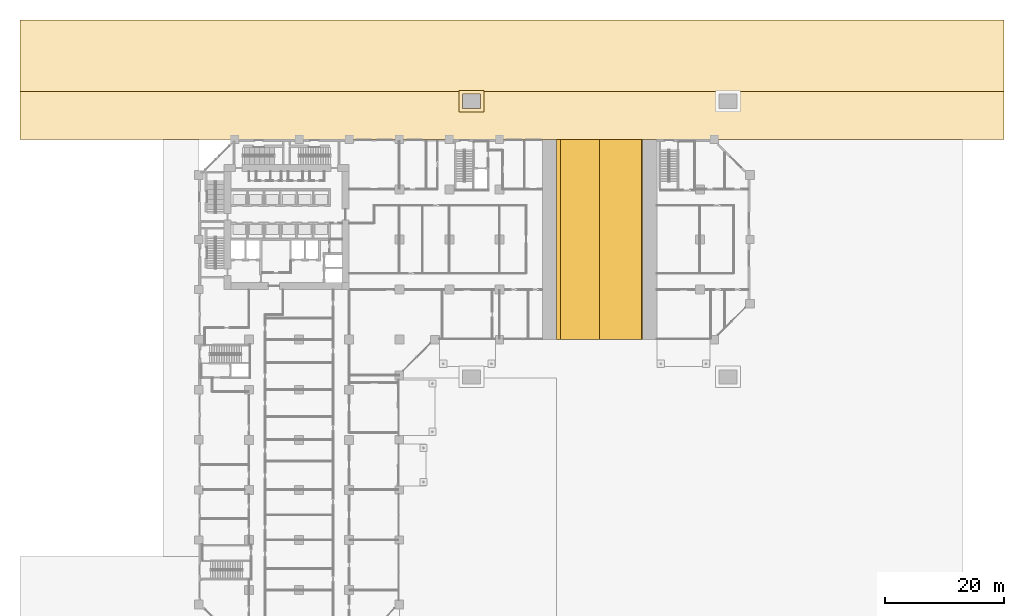
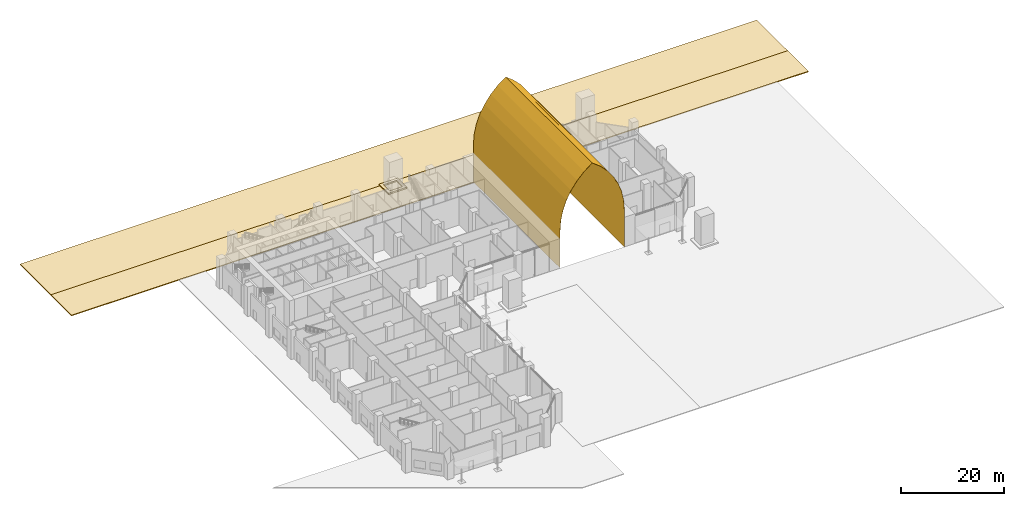
# One storey, part 30 of 32: 4 coverings.
"""IFC4 building model written with IfcOpenShell, lengths in metres."""

from ifc_helpers import new_model, si_unit, direction, frame, origin, place, context, subcontext, project, spatial, polyline, outline, extrude, material, layer, layer_set, type_object, element, save


model = new_model("IFC4")

# Units and contexts
model_context = context("Model", 3, precision=1e-05, world=origin(), true_north=direction((0.0, 1.0)))
body_context = subcontext(model_context, "Body", "Model", "MODEL_VIEW")
ifc_project = project(units=[si_unit("LENGTHUNIT", "METRE"), si_unit("AREAUNIT", "SQUARE_METRE"), si_unit("VOLUMEUNIT", "CUBIC_METRE"), si_unit("PLANEANGLEUNIT", "RADIAN"), si_unit("MASSUNIT", "GRAM", prefix="KILO")], contexts=[model_context])

# Site, building, storey
site_placement = place(None, origin())
site = spatial("IfcSite", under=ifc_project, at=site_placement, CompositionType="ELEMENT")
building_placement = place(site_placement, origin())
building = spatial("IfcBuilding", under=site, at=building_placement, Name="Kawkab Arch Medical Tower", CompositionType="ELEMENT")
storey_placement = place(building_placement, origin())
storey = spatial("IfcBuildingStorey", under=building, at=storey_placement, Name="L01", CompositionType="ELEMENT", Elevation=0.0)

# Coverings
ifc_material_1 = material(Name="Bronze anodised aluminium cladding panel", Category="aluminium")
ifc_layer_1 = layer(ifc_material_1, 0.030029296875)
ifc_layer_set_1 = layer_set([ifc_layer_1], Name="Bronze anodised aluminium cladding panel")
covering_type_1 = type_object("IfcCoveringType", Name="Arch passage cladding 30", PredefinedType="CLADDING", material=ifc_layer_set_1)
covering_1_placement = place(storey_placement, frame((0.0, 0.0, 0.0), z_axis=(0.0, -1.0, 0.0), x_axis=(1.0, 0.0, 0.0)))
element("IfcCovering", 1, at=covering_1_placement, inside=storey, type_object=covering_type_1, Name="Arch passage lining", PredefinedType="CLADDING", context=body_context, shape_type="SweptSolid", body=[
    extrude(outline(polyline([(60.0, 4.5), (60.0, 6.75), (60.0, 9.0), (60.158935546875, 11.256103515625), (60.634033203125, 13.468017578125), (61.4140625, 15.591064453125), (62.48388671875, 17.5830078125), (63.823974609375, 19.406005859375), (65.406005859375, 21.02197265625), (67.199951171875, 22.39990234375), (68.993896484375, 21.02197265625), (70.575927734375, 19.406005859375), (71.916015625, 17.5830078125), (72.986083984375, 15.591064453125), (73.76611328125, 13.468017578125), (74.240966796875, 11.256103515625), (74.39990234375, 9.0), (74.39990234375, 6.75), (74.39990234375, 4.5), (74.39990234375, 2.25), (74.39990234375, 0.030029296875), (74.3701171875, 0.030029296875), (74.3701171875, 8.998779296875), (74.211181640625, 11.251708984375), (73.737060546875, 13.459716796875), (72.95849609375, 15.57861328125), (71.890625, 17.56689453125), (70.552978515625, 19.386474609375), (68.97412109375, 20.99951171875), (67.199951171875, 22.3623046875), (65.426025390625, 20.99951171875), (63.846923828125, 19.386474609375), (62.509521484375, 17.56689453125), (61.44140625, 15.57861328125), (60.662841796875, 13.459716796875), (60.188720703125, 11.251708984375), (60.030029296875, 8.998779296875), (60.030029296875, 0.030029296875), (60.0, 0.030029296875), (60.0, 2.25), (60.0, 4.5)])), origin(), (0.0, 0.0, 1.0), 33.60009765625),
])
ifc_material_2 = material(Name="Polished granite plinth", Category="masonry")
ifc_layer_2 = layer(ifc_material_2, 0.300048828125)
ifc_layer_set_2 = layer_set([ifc_layer_2], Name="Polished granite plinth")
covering_type_2 = type_object("IfcCoveringType", Name="Granite plinth ring 300", PredefinedType="USERDEFINED", material=ifc_layer_set_2)
covering_2_placement = place(storey_placement, origin())
element("IfcCovering", 2, at=covering_2_placement, inside=storey, type_object=covering_type_2, Name="Portal arch plinth NW", ObjectType="PLINTH", PredefinedType="USERDEFINED", context=body_context, shape_type="SweptSolid", body=[
    extrude(outline(polyline([(43.60009765625, 4.60009765625), (47.800048828125, 4.60009765625), (47.800048828125, 8.199951171875), (43.60009765625, 8.199951171875), (43.60009765625, 4.60009765625)]), holes=[polyline([(47.199951171875, 5.199951171875), (44.199951171875, 5.199951171875), (44.199951171875, 7.60009765625), (47.199951171875, 7.60009765625), (47.199951171875, 5.199951171875)])]), origin(), (0.0, 0.0, 1.0), 0.300048828125),
])
ifc_material_3 = material(Name="Granite and concrete paving on compacted base", Category="masonry")
ifc_layer_3 = layer(ifc_material_3, 0.199951171875)
ifc_layer_set_3 = layer_set([ifc_layer_3], Name="Granite and concrete paving on compacted base")
covering_type_3 = type_object("IfcCoveringType", Name="Paving surfacing 200 (PV-F)", PredefinedType="USERDEFINED", material=ifc_layer_set_3)
placement = place(storey_placement, frame((0.0, 0.0, -0.199951171875)))
element("IfcCovering", 3, at=placement, inside=storey, type_object=covering_type_3, Name="North footpath", ObjectType="PAVING", PredefinedType="USERDEFINED", context=body_context, shape_type="SweptSolid", body=[
    extrude(outline(polyline([(-30.0, 0.0), (135.0, 0.0), (135.0, 8.0), (-30.0, 8.0), (-30.0, 0.0)])), origin(), (0.0, 0.0, 1.0), 0.199951171875),
])
ifc_material_4 = material(Name="Asphalt road surfacing on compacted base")
ifc_layer_4 = layer(ifc_material_4, 0.199951171875)
ifc_layer_set_4 = layer_set([ifc_layer_4], Name="Asphalt road surfacing on compacted base")
covering_type_4 = type_object("IfcCoveringType", Name="Road surfacing 200 (PV-R)", PredefinedType="USERDEFINED", material=ifc_layer_set_4)
element("IfcCovering", 4, at=placement, inside=storey, type_object=covering_type_4, Name="North street", ObjectType="ROADWAY", PredefinedType="USERDEFINED", context=body_context, shape_type="SweptSolid", body=[
    extrude(outline(polyline([(-30.0, 8.0), (135.0, 8.0), (135.0, 20.0), (-30.0, 20.0), (-30.0, 8.0)])), origin(), (0.0, 0.0, 1.0), 0.199951171875),
])

save(model, "model.ifc")
